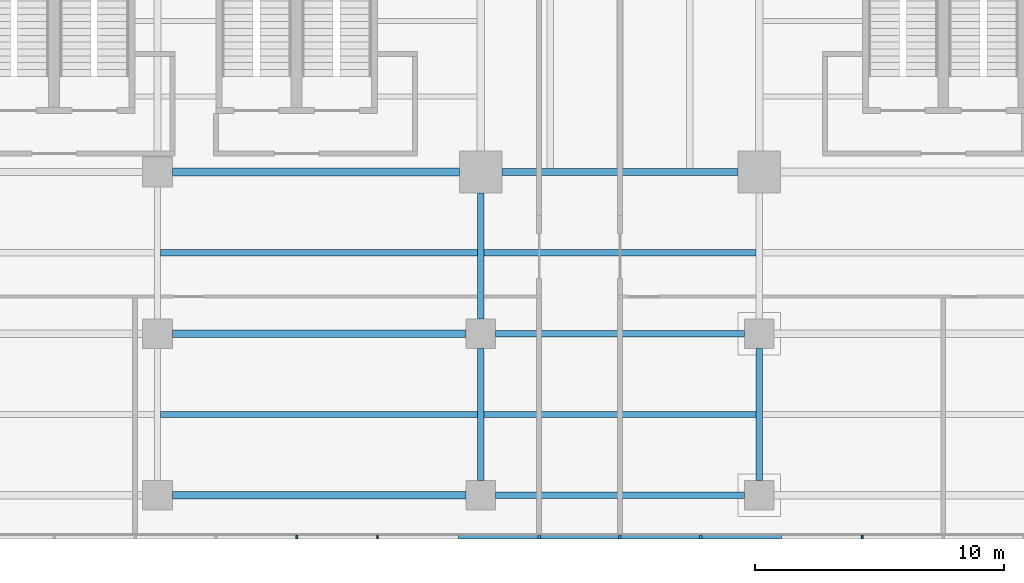
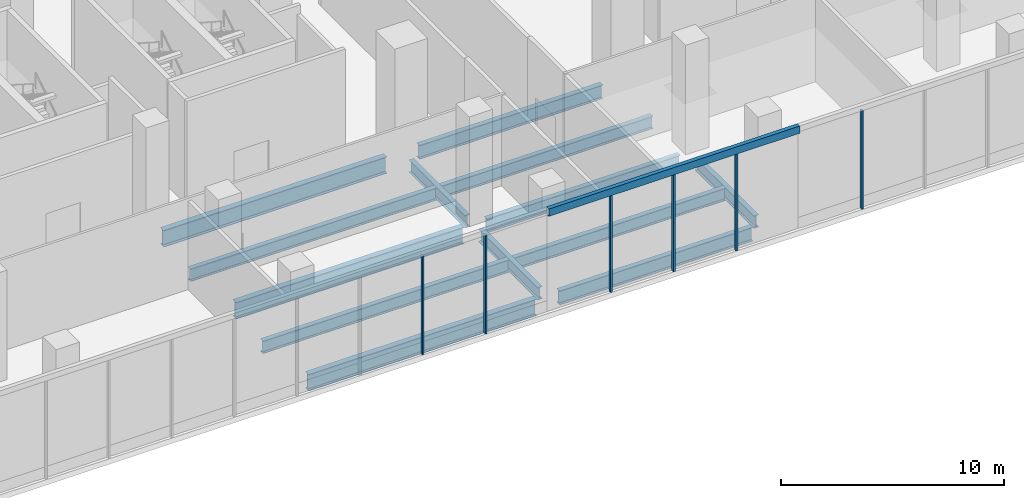
# One storey, part 7 of 41: 13 beams, 7 members, 3 elements without a shape of their own.
"""IFC4 building model written with IfcOpenShell, lengths in metres."""

from ifc_helpers import new_model, si_unit, direction, frame, origin, origin_2d, place, context, subcontext, project, spatial, polyline, rectangle, i_section, outline, extrude, source, transform, mapped, material, layer, layer_set, material_profile, profile_set, type_object, element, aggregate, save


model = new_model("IFC4")

# Units and contexts
model_context = context("Model", 3, precision=1e-05, world=origin(), true_north=direction((0.0, 1.0)))
body_context = subcontext(model_context, "Body", "Model", "MODEL_VIEW")
ifc_project = project(units=[si_unit("LENGTHUNIT", "METRE"), si_unit("AREAUNIT", "SQUARE_METRE"), si_unit("VOLUMEUNIT", "CUBIC_METRE"), si_unit("PLANEANGLEUNIT", "RADIAN"), si_unit("MASSUNIT", "GRAM", prefix="KILO")], contexts=[model_context])

# Site, building, storey
site_placement = place(None, origin())
site = spatial("IfcSite", under=ifc_project, at=site_placement, CompositionType="ELEMENT")
building_placement = place(site_placement, origin())
building = spatial("IfcBuilding", under=site, at=building_placement, Name="Trellis Farm Tower", CompositionType="ELEMENT")
storey_placement = place(building_placement, frame((0.0, 0.0, 8.0)))
storey = spatial("IfcBuildingStorey", under=building, at=storey_placement, Name="L01", CompositionType="ELEMENT", Elevation=8.0)

# Curtain wall, member
ifc_material_1 = material(Name="Aluminium and glass curtain wall", Category="aluminium")
ifc_layer_1 = layer(ifc_material_1, 0.2099609375)
ifc_layer_set_1 = layer_set([ifc_layer_1], Name="LOBBY CURTAIN WALL CW4")
curtain_wall_type_1 = type_object("IfcCurtainWallType", Name="LOBBY CURTAIN WALL CW4", PredefinedType="NOTDEFINED", material=ifc_layer_set_1)
placement = place(storey_placement, origin())
curtain_wall_1 = element("IfcCurtainWall", 1, at=placement, inside=storey, type_object=curtain_wall_type_1, Name="CW4 004", PredefinedType="NOTDEFINED")
ifc_material_2 = material(Name="Aluminium extrusion 6063-T6", Category="aluminium")
ifc_layer_2 = layer(ifc_material_2, 0.2099609375)
ifc_layer_set_2 = layer_set([ifc_layer_2], Name="Aluminium extrusion 6063-T6")
member_type_1 = type_object("IfcMemberType", Name="CW4 TRANSOM 210x400", PredefinedType="USERDEFINED", material=ifc_layer_set_2)
member_1_placement = place(storey_placement, frame((0.0, 0.0, 5.300048828125)))
member_1 = element("IfcMember", 2, at=member_1_placement, type_object=member_type_1, Name="TR4 004", ObjectType="TRANSOM", PredefinedType="USERDEFINED", context=body_context, shape_type="SweptSolid", body=[
    extrude(outline(polyline([(-6.5, -45.5), (6.5, -45.5), (6.5, -45.2900390625), (-6.5, -45.2900390625), (-6.5, -45.5)])), origin(), (0.0, 0.0, 1.0), 0.39990234375),
])

# Beams
ifc_material_3 = material(Name="Steel S355", Category="steel")
ifc_material_profile_1 = material_profile(ifc_material_3, i_section(OverallWidth=0.253662109375, OverallDepth=0.68359375, WebThickness=0.012451171875, FlangeThickness=0.021728515625, FilletRadius=0.01513671875, at=origin_2d()), Name="UB 686x254x140")
ifc_profile_set_1 = profile_set([ifc_material_profile_1], Name="Steel S355")
beam_type_1 = type_object("IfcBeamType", Name="UB 686x254x140", PredefinedType="BEAM", material=ifc_profile_set_1)
shared_shape_1 = source(origin(), body_context, "Body", "SweptSolid", [
    extrude(i_section(OverallWidth=0.253662109375, OverallDepth=0.68359375, WebThickness=0.012451171875, FlangeThickness=0.021728515625, FilletRadius=0.01513671875, at=origin_2d()), origin(), (0.0, 0.0, 1.0), 5.2998046875),
])
for number, where, z_axis, x_axis, name in (
    (3, (-5.60009765625, -43.14990234375, -0.641845703125), (0.0, 1.0, 0.0), (-1.0, 0.0, 0.0), "Girder"),
    (4, (5.60009765625, -43.14990234375, -0.641845703125), (0.0, 1.0, 0.0), (-1.0, 0.0, 0.0), "Girder"),
):
    element("IfcBeam", number, at=place(storey_placement, frame(where, z_axis=z_axis, x_axis=x_axis)), inside=storey, type_object=beam_type_1, Name=name, PredefinedType="BEAM", context=body_context, shape_type="MappedRepresentation", body=[
        mapped(shared_shape_1, transform((0.0, 0.0, 0.0))),
    ])
ifc_material_profile_2 = material_profile(ifc_material_3, i_section(OverallWidth=0.305419921875, OverallDepth=0.91845703125, WebThickness=0.017333984375, FlangeThickness=0.02783203125, FilletRadius=0.01904296875, at=origin_2d()), Name="UB 914x305x253")
ifc_profile_set_2 = profile_set([ifc_material_profile_2], Name="Steel S355")
beam_type_2 = type_object("IfcBeamType", Name="UB 914x305x253", PredefinedType="BEAM", material=ifc_profile_set_2)
shared_shape_2 = source(origin(), body_context, "Body", "SweptSolid", [
    extrude(i_section(OverallWidth=0.305419921875, OverallDepth=0.91845703125, WebThickness=0.017333984375, FlangeThickness=0.02783203125, FilletRadius=0.01904296875, at=origin_2d()), origin(), (0.0, 0.0, 1.0), 11.800048828125),
])
for number, where, z_axis, x_axis, name in (
    (5, (-18.0, -43.75, -0.75927734375), (1.0, 0.0, 0.0), (0.0, 1.0, 0.0), "Girder"),
    (6, (-18.0, -37.25, -0.75927734375), (1.0, 0.0, 0.0), (0.0, 1.0, 0.0), "Girder"),
):
    element("IfcBeam", number, at=place(storey_placement, frame(where, z_axis=z_axis, x_axis=x_axis)), inside=storey, type_object=beam_type_2, Name=name, PredefinedType="BEAM", context=body_context, shape_type="MappedRepresentation", body=[
        mapped(shared_shape_2, transform((0.0, 0.0, 0.0))),
    ])
ifc_material_profile_3 = material_profile(ifc_material_3, i_section(OverallWidth=0.2666015625, OverallDepth=0.76220703125, WebThickness=0.014404296875, FlangeThickness=0.021484375, FilletRadius=0.0166015625, at=origin_2d()), Name="UB 762x267x173")
ifc_profile_set_3 = profile_set([ifc_material_profile_3], Name="Steel S355")
beam_type_3 = type_object("IfcBeamType", Name="UB 762x267x173", PredefinedType="BEAM", material=ifc_profile_set_3)
shared_shape_3 = source(origin(), body_context, "Body", "SweptSolid", [
    extrude(i_section(OverallWidth=0.2666015625, OverallDepth=0.76220703125, WebThickness=0.014404296875, FlangeThickness=0.021484375, FilletRadius=0.0166015625, at=origin_2d()), origin(), (0.0, 0.0, 1.0), 10.0),
])
for number, where, z_axis, x_axis, name in (
    (7, (-5.0, -43.75, -0.68115234375), (1.0, 0.0, 0.0), (0.0, 1.0, 0.0), "Girder"),
    (8, (-5.0, -37.25, -0.68115234375), (1.0, 0.0, 0.0), (0.0, 1.0, 0.0), "Girder"),
):
    element("IfcBeam", number, at=place(storey_placement, frame(where, z_axis=z_axis, x_axis=x_axis)), inside=storey, type_object=beam_type_3, Name=name, PredefinedType="BEAM", context=body_context, shape_type="MappedRepresentation", body=[
        mapped(shared_shape_3, transform((0.0, 0.0, 0.0))),
    ])
shared_shape_4 = source(origin(), body_context, "Body", "SweptSolid", [
    extrude(i_section(OverallWidth=0.305419921875, OverallDepth=0.91845703125, WebThickness=0.017333984375, FlangeThickness=0.02783203125, FilletRadius=0.01904296875, at=origin_2d()), origin(), (0.0, 0.0, 1.0), 11.550048828125),
])
beam_1_placement = place(storey_placement, frame((-18.0, -30.75, -0.75927734375), z_axis=(1.0, 0.0, 0.0), x_axis=(0.0, 1.0, 0.0)))
element("IfcBeam", 9, at=beam_1_placement, inside=storey, type_object=beam_type_2, Name="Girder", PredefinedType="BEAM", context=body_context, shape_type="MappedRepresentation", body=[
    mapped(shared_shape_4, transform((0.0, 0.0, 0.0))),
])
shared_shape_5 = source(origin(), body_context, "Body", "SweptSolid", [
    extrude(i_section(OverallWidth=0.2666015625, OverallDepth=0.76220703125, WebThickness=0.014404296875, FlangeThickness=0.021484375, FilletRadius=0.0166015625, at=origin_2d()), origin(), (0.0, 0.0, 1.0), 9.5),
])
beam_2_placement = place(storey_placement, frame((-4.75, -30.75, -0.68115234375), z_axis=(1.0, 0.0, 0.0), x_axis=(0.0, 1.0, 0.0)))
element("IfcBeam", 10, at=beam_2_placement, inside=storey, type_object=beam_type_3, Name="Girder", PredefinedType="BEAM", context=body_context, shape_type="MappedRepresentation", body=[
    mapped(shared_shape_5, transform((0.0, 0.0, 0.0))),
])
shared_shape_6 = source(origin(), body_context, "Body", "SweptSolid", [
    extrude(i_section(OverallWidth=0.253662109375, OverallDepth=0.68359375, WebThickness=0.012451171875, FlangeThickness=0.021728515625, FilletRadius=0.01513671875, at=origin_2d()), origin(), (0.0, 0.0, 1.0), 5.0498046875),
])
beam_3_placement = place(storey_placement, frame((-5.60009765625, -36.64990234375, -0.641845703125), z_axis=(0.0, 1.0, 0.0), x_axis=(-1.0, 0.0, 0.0)))
element("IfcBeam", 11, at=beam_3_placement, inside=storey, type_object=beam_type_1, Name="Girder", PredefinedType="BEAM", context=body_context, shape_type="MappedRepresentation", body=[
    mapped(shared_shape_6, transform((0.0, 0.0, 0.0))),
])
ifc_material_profile_4 = material_profile(ifc_material_3, i_section(OverallWidth=0.253662109375, OverallDepth=0.68359375, WebThickness=0.012451171875, FlangeThickness=0.021728515625, FilletRadius=0.01513671875, at=origin_2d()), Name="UB 686x254x140")
ifc_profile_set_4 = profile_set([ifc_material_profile_4], Name="Steel S355")
beam_type_4 = type_object("IfcBeamType", Name="UB 686x254x140 joist", PredefinedType="JOIST", material=ifc_profile_set_4)
shared_shape_7 = source(origin(), body_context, "Body", "SweptSolid", [
    extrude(i_section(OverallWidth=0.253662109375, OverallDepth=0.68359375, WebThickness=0.012451171875, FlangeThickness=0.021728515625, FilletRadius=0.01513671875, at=origin_2d()), origin(), (0.0, 0.0, 1.0), 12.746337890625),
])
for number, where, z_axis, x_axis, name in (
    (12, (-18.47314453125, -40.5, -0.641845703125), (1.0, 0.0, 0.0), (0.0, 1.0, 0.0), "Floor beam"),
    (13, (-18.47314453125, -34.0, -0.641845703125), (1.0, 0.0, 0.0), (0.0, 1.0, 0.0), "Floor beam"),
):
    element("IfcBeam", number, at=place(storey_placement, frame(where, z_axis=z_axis, x_axis=x_axis)), inside=storey, type_object=beam_type_4, Name=name, PredefinedType="JOIST", context=body_context, shape_type="MappedRepresentation", body=[
        mapped(shared_shape_7, transform((0.0, 0.0, 0.0))),
    ])
shared_shape_8 = source(origin(), body_context, "Body", "SweptSolid", [
    extrude(i_section(OverallWidth=0.253662109375, OverallDepth=0.68359375, WebThickness=0.012451171875, FlangeThickness=0.021728515625, FilletRadius=0.01513671875, at=origin_2d()), origin(), (0.0, 0.0, 1.0), 10.9462890625),
])
for number, where, z_axis, x_axis, name in (
    (14, (-5.47314453125, -40.5, -0.641845703125), (1.0, 0.0, 0.0), (0.0, 1.0, 0.0), "Floor beam"),
    (15, (-5.47314453125, -34.0, -0.641845703125), (1.0, 0.0, 0.0), (0.0, 1.0, 0.0), "Floor beam"),
):
    element("IfcBeam", number, at=place(storey_placement, frame(where, z_axis=z_axis, x_axis=x_axis)), inside=storey, type_object=beam_type_4, Name=name, PredefinedType="JOIST", context=body_context, shape_type="MappedRepresentation", body=[
        mapped(shared_shape_8, transform((0.0, 0.0, 0.0))),
    ])

# Curtain wall, members
ifc_layer_3 = layer(ifc_material_1, 0.201904296875)
ifc_layer_set_3 = layer_set([ifc_layer_3], Name="SHOPFRONT CURTAIN WALL CW2")
curtain_wall_type_2 = type_object("IfcCurtainWallType", Name="SHOPFRONT CURTAIN WALL CW2", PredefinedType="NOTDEFINED", material=ifc_layer_set_3)
curtain_wall_2 = element("IfcCurtainWall", 16, at=placement, inside=storey, type_object=curtain_wall_type_2, Name="CW2 007", PredefinedType="NOTDEFINED")
ifc_material_profile_5 = material_profile(ifc_material_2, rectangle(XDim=0.080078125, YDim=0.14990234375, at=origin_2d()), Name="MULLION 80x150")
ifc_profile_set_5 = profile_set([ifc_material_profile_5], Name="Aluminium extrusion 6063-T6")
member_type_2 = type_object("IfcMemberType", Name="CW2 MULLION 80x150", PredefinedType="MULLION", material=ifc_profile_set_5)
shared_shape_9 = source(origin(), body_context, "Body", "SweptSolid", [
    extrude(rectangle(XDim=0.080078125, YDim=0.14990234375, at=origin_2d()), origin(), (0.0, 0.0, 1.0), 5.39990234375),
])
member_2_placement = place(storey_placement, frame((-13.0, -45.425048828125, 0.0), z_axis=(0.0, 0.0, 1.0), x_axis=(1.0, 0.0, 0.0)))
member_2 = element("IfcMember", 17, at=member_2_placement, type_object=member_type_2, Name="MU2 007-09", PredefinedType="MULLION", context=body_context, shape_type="MappedRepresentation", body=[
    mapped(shared_shape_9, transform((0.0, 0.0, 0.0))),
])
member_3_placement = place(storey_placement, frame((-9.75, -45.425048828125, 0.0), z_axis=(0.0, 0.0, 1.0), x_axis=(1.0, 0.0, 0.0)))
member_3 = element("IfcMember", 18, at=member_3_placement, type_object=member_type_2, Name="MU2 007-10", PredefinedType="MULLION", context=body_context, shape_type="MappedRepresentation", body=[
    mapped(shared_shape_9, transform((0.0, 0.0, 0.0))),
])
aggregate(curtain_wall_2, [member_2, member_3])

# Curtain wall, member
curtain_wall_3 = element("IfcCurtainWall", 19, at=placement, inside=storey, type_object=curtain_wall_type_2, Name="CW2 008", PredefinedType="NOTDEFINED")
member_4_placement = place(storey_placement, frame((9.75, -45.425048828125, 0.0), z_axis=(0.0, 0.0, 1.0), x_axis=(1.0, 0.0, 0.0)))
member_4 = element("IfcMember", 20, at=member_4_placement, type_object=member_type_2, Name="MU2 008-01", PredefinedType="MULLION", context=body_context, shape_type="MappedRepresentation", body=[
    mapped(shared_shape_9, transform((0.0, 0.0, 0.0))),
])
aggregate(curtain_wall_3, [member_4])

# Member
ifc_material_profile_6 = material_profile(ifc_material_2, rectangle(XDim=0.10009765625, YDim=0.14990234375, at=origin_2d()), Name="MULLION 100x150")
ifc_profile_set_6 = profile_set([ifc_material_profile_6], Name="Aluminium extrusion 6063-T6")
member_type_3 = type_object("IfcMemberType", Name="CW4 MULLION 100x150", PredefinedType="MULLION", material=ifc_profile_set_6)
shared_shape_10 = source(origin(), body_context, "Body", "SweptSolid", [
    extrude(rectangle(XDim=0.10009765625, YDim=0.14990234375, at=origin_2d()), origin(), (0.0, 0.0, 1.0), 5.300048828125),
])
member_5_placement = place(storey_placement, frame((-3.25, -45.425048828125, 0.0), z_axis=(0.0, 0.0, 1.0), x_axis=(1.0, 0.0, 0.0)))
member_5 = element("IfcMember", 21, at=member_5_placement, type_object=member_type_3, Name="MU4 004-01", PredefinedType="MULLION", context=body_context, shape_type="MappedRepresentation", body=[
    mapped(shared_shape_10, transform((0.0, 0.0, 0.0))),
])

member_6_placement = place(storey_placement, frame((0.0, -45.425048828125, 0.0), z_axis=(0.0, 0.0, 1.0), x_axis=(1.0, 0.0, 0.0)))
member_6 = element("IfcMember", 22, at=member_6_placement, type_object=member_type_3, Name="MU4 004-02", PredefinedType="MULLION", context=body_context, shape_type="MappedRepresentation", body=[
    mapped(shared_shape_10, transform((0.0, 0.0, 0.0))),
])

member_7_placement = place(storey_placement, frame((3.25, -45.425048828125, 0.0), z_axis=(0.0, 0.0, 1.0), x_axis=(1.0, 0.0, 0.0)))
member_7 = element("IfcMember", 23, at=member_7_placement, type_object=member_type_3, Name="MU4 004-03", PredefinedType="MULLION", context=body_context, shape_type="MappedRepresentation", body=[
    mapped(shared_shape_10, transform((0.0, 0.0, 0.0))),
])

aggregate(curtain_wall_1, [member_5, member_6, member_7, member_1])

save(model, "model.ifc")
